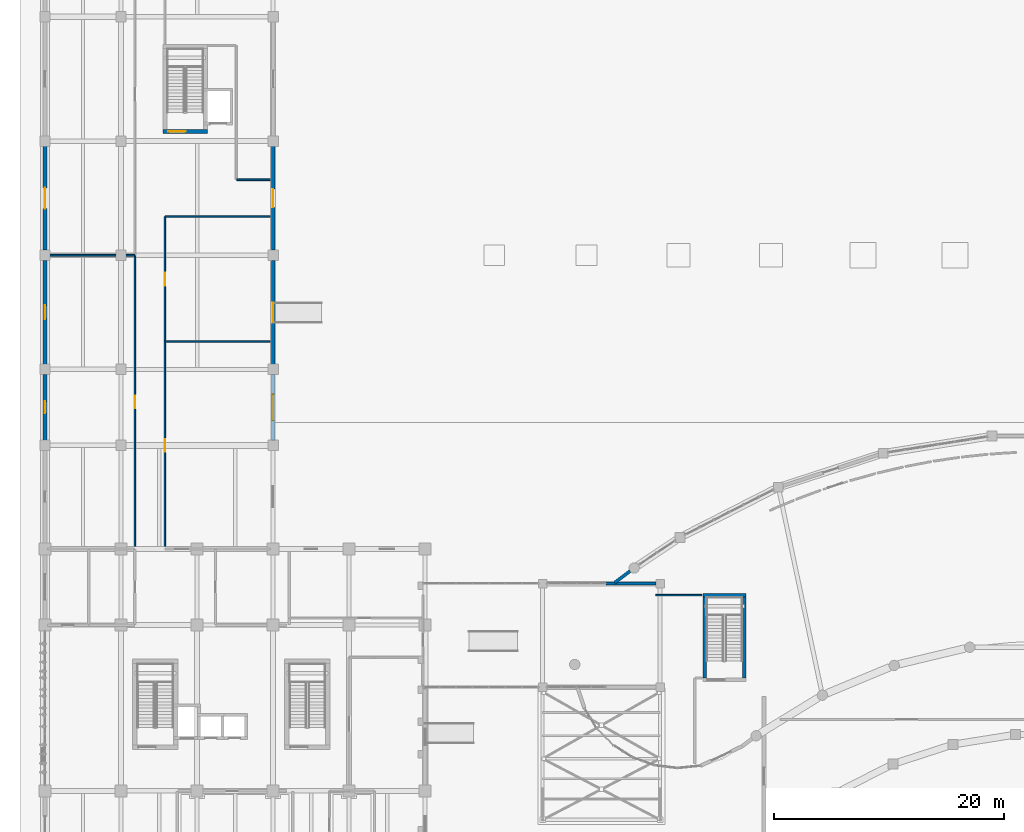
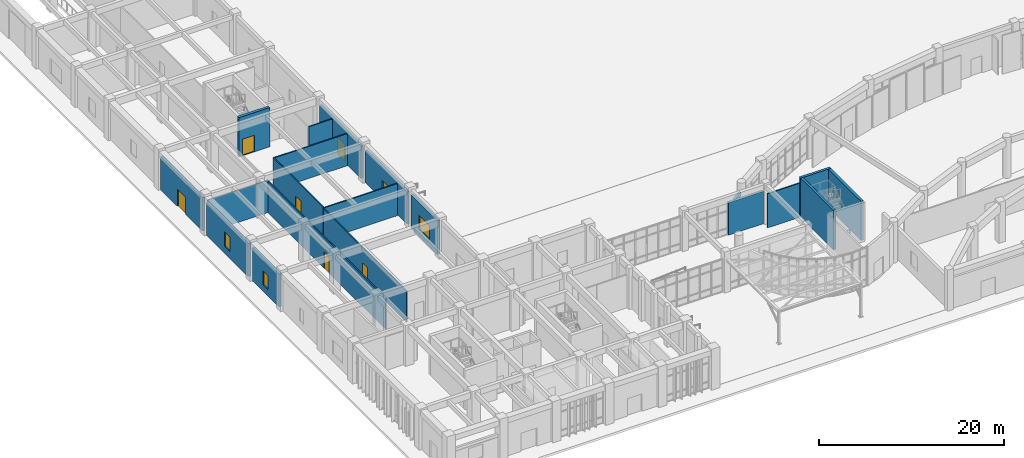
# One storey, part 50 of 70: 20 walls, 6 doors, 4 windows, 10 openings.
"""IFC4 building model written with IfcOpenShell, lengths in metres."""

import ifcopenshell
import ifcopenshell.guid

model = None  # the IFC model being written
_history = None  # IfcOwnerHistory: only IFC2X3 demands one
_inside = {}  # id of a spatial element -> (the spatial element, [elements in it])
_under = {}  # id of a project, library or spatial element -> (it, [spatial elements below it])
_declared = {}  # id of a project -> (the project, [libraries it declares])
_typed = {}  # id of a type object -> (the type object, [elements of that type])
_made_of = {}  # id of a material, layer set ... -> (it, [elements and type objects made of it])


def new_model(schema):
    """Start an empty IFC model of exactly this schema.

    Asked for "IFC4X3", IfcOpenShell would pick the latest addendum, in which some entities
    have other attributes; the version numbers below select the first issue.
    IFC2X3 requires an IfcOwnerHistory on every rooted entity: one is made here for all.
    """
    global model, _history
    if schema == "IFC4X3":
        model = ifcopenshell.file(schema_version=(4, 3, 0, 0))
    else:
        model = ifcopenshell.file(schema=schema)
    _inside.clear()
    _under.clear()
    _declared.clear()
    _typed.clear()
    _made_of.clear()
    _history = None
    if model.schema == "IFC2X3":
        org = make("IfcOrganization", Name="unknown")
        user = make(
            "IfcPersonAndOrganization",
            ThePerson=make("IfcPerson", FamilyName="unknown"),
            TheOrganization=org,
        )
        app = make(
            "IfcApplication",
            ApplicationDeveloper=org,
            Version="unknown",
            ApplicationFullName="unknown",
            ApplicationIdentifier="unknown",
        )
        _history = make(
            "IfcOwnerHistory",
            OwningUser=user,
            OwningApplication=app,
            ChangeAction="ADDED",
            CreationDate=0,
        )
    return model


def make(cls, **values):
    """One entity of the class cls with the attributes given. An attribute that is None is left unset."""
    return model.create_entity(
        cls, **{name: value for name, value in values.items() if value is not None}
    )


def rooted(cls, **values):
    """An entity with a GlobalId (a new one), such as an element, a storey or a relation."""
    return make(cls, GlobalId=ifcopenshell.guid.new(), OwnerHistory=_history, **values)


def si_unit(unit_type, name, prefix=None):
    """IfcSIUnit, for example si_unit("LENGTHUNIT", "METRE", prefix="MILLI")."""
    return make("IfcSIUnit", UnitType=unit_type, Prefix=prefix, Name=name)


def assignment(units):
    """IfcUnitAssignment: the units of a project."""
    return None if units is None else make("IfcUnitAssignment", Units=units)


def point(xyz):
    """IfcCartesianPoint."""
    return None if xyz is None else make("IfcCartesianPoint", Coordinates=xyz)


def direction(xyz):
    """IfcDirection."""
    return None if xyz is None else make("IfcDirection", DirectionRatios=xyz)


def frame(location, z_axis=None, x_axis=None):
    """IfcAxis2Placement3D, a coordinate frame: its origin and axes. An axis left out is left unset."""
    return make(
        "IfcAxis2Placement3D",
        Location=point(location),
        Axis=direction(z_axis),
        RefDirection=direction(x_axis),
    )


def frame_2d(location, x_axis=None):
    """IfcAxis2Placement2D, a coordinate frame in the plane: its origin and x axis."""
    return make(
        "IfcAxis2Placement2D", Location=point(location), RefDirection=direction(x_axis)
    )


def origin():
    """The frame at (0, 0, 0) with its axes left unset."""
    return frame((0.0, 0.0, 0.0))


def place(relative_to, where):
    """IfcLocalPlacement: puts the frame where relative to a parent placement (None: the world)."""
    return make(
        "IfcLocalPlacement", PlacementRelTo=relative_to, RelativePlacement=where
    )


def context(
    kind, dimensions, precision=None, world=None, true_north=None, identifier=None
):
    """IfcGeometricRepresentationContext, for example the 3D "Model" context."""
    return make(
        "IfcGeometricRepresentationContext",
        ContextIdentifier=identifier,
        ContextType=kind,
        CoordinateSpaceDimension=dimensions,
        Precision=precision,
        WorldCoordinateSystem=world,
        TrueNorth=true_north,
    )


def subcontext(parent, identifier, kind, view, scale=None):
    """IfcGeometricRepresentationSubContext, for example "Body" below "Model"."""
    return make(
        "IfcGeometricRepresentationSubContext",
        ContextIdentifier=identifier,
        ContextType=kind,
        ParentContext=parent,
        TargetScale=scale,
        TargetView=view,
    )


def project(units=None, contexts=None):
    """IfcProject with its units and contexts."""
    return rooted(
        "IfcProject",
        Name="project",
        RepresentationContexts=contexts,
        UnitsInContext=assignment(units),
    )


def spatial(cls, under=None, at=None, **own):
    """A site, building, storey or space (cls), placed at a placement, below another one or the project."""
    s = rooted(cls, ObjectPlacement=at, **own)
    if under is not None:
        _under.setdefault(under.id(), (under, []))[1].append(s)
    return s


def profile(cls, at=None, kind="AREA", **sizes):
    """A parametric profile (cls). Its sizes go by their IFC names, for example OverallWidth=200.0."""
    return make(cls, ProfileType=kind, Position=at, **sizes)


def rectangle(**sizes):
    """IfcRectangleProfileDef."""
    return profile("IfcRectangleProfileDef", **sizes)


def extrude(swept, where, along, depth):
    """IfcExtrudedAreaSolid: the profile swept, set in the frame where, extruded along a direction by depth."""
    return make(
        "IfcExtrudedAreaSolid",
        SweptArea=swept,
        Position=where,
        ExtrudedDirection=direction(along),
        Depth=depth,
    )


def shape(context_of_items, identifier, shape_type, items):
    """IfcShapeRepresentation: the items that make up one representation, for example the "Body"."""
    return make(
        "IfcShapeRepresentation",
        ContextOfItems=context_of_items,
        RepresentationIdentifier=identifier,
        RepresentationType=shape_type,
        Items=items,
    )


def material(Name=None, Category=None):
    """IfcMaterial."""
    return make("IfcMaterial", Name=Name, Category=Category)


def layer(
    of_material, thickness, ventilated=None, Name=None, Category=None, Priority=None
):
    """IfcMaterialLayer: one layer of a wall or slab, of a material (None: an air gap)."""
    return make(
        "IfcMaterialLayer",
        Material=of_material,
        LayerThickness=thickness,
        IsVentilated=ventilated,
        Name=Name,
        Category=Category,
        Priority=Priority,
    )


def layer_set(layers, Name=None):
    """IfcMaterialLayerSet."""
    return make("IfcMaterialLayerSet", MaterialLayers=layers, LayerSetName=Name)


def made_of(thing, what):
    """Note that an element or type object is made of a material, layer set ...; save() writes the relation."""
    if what is not None:
        _made_of.setdefault(what.id(), (what, []))[1].append(thing)
    return thing


def type_object(cls, material=None, **own):
    """A type object (cls), such as IfcWallType, which elements share."""
    return made_of(rooted(cls, **own), material)


def element(
    cls,
    number,
    at=None,
    inside=None,
    cuts=None,
    type_object=None,
    material=None,
    context=None,
    identifier="Body",
    shape_type=None,
    held_by="IfcProductDefinitionShape",
    body=None,
    shapes=None,
    **own,
):
    """One element of the class cls, such as IfcWall. Its Tag is "e" and its number.

    at: its placement. inside: the storey or other place that contains it. cuts: it is an
    opening in that element (IfcRelVoidsElement). A single representation is given by context,
    identifier, shape_type and body (its items); several are given by shapes. held_by: the class
    of the entity that holds the representations. save() writes the other relations.
    """
    e = rooted(cls, Tag="e%d" % number, ObjectPlacement=at, **own)
    if body is not None:
        shapes = [shape(context, identifier, shape_type, body)]
    if shapes is not None:
        e.Representation = make(held_by, Representations=shapes)
    if inside is not None:
        _inside.setdefault(inside.id(), (inside, []))[1].append(e)
    if cuts is not None:
        rooted(
            "IfcRelVoidsElement", RelatingBuildingElement=cuts, RelatedOpeningElement=e
        )
    if type_object is not None:
        _typed.setdefault(type_object.id(), (type_object, []))[1].append(e)
    return made_of(e, material)


def fill(opening, filler):
    """IfcRelFillsElement: the door or window that sits in an opening."""
    return rooted(
        "IfcRelFillsElement",
        RelatingOpeningElement=opening,
        RelatedBuildingElement=filler,
    )


def aggregate(whole, parts):
    """IfcRelAggregates: a whole, such as a stair, and the parts it consists of."""
    return rooted("IfcRelAggregates", RelatingObject=whole, RelatedObjects=parts)


def save(model, path):
    """Write the relations noted so far, then the file.

    IfcRelAggregates (storeys below a building ...), IfcRelContainedInSpatialStructure (elements
    in a storey), IfcRelDefinesByType, IfcRelAssociatesMaterial and IfcRelDeclares: one each for
    every whole, place, type object, material and project.
    """
    for whole, parts in _under.values():
        aggregate(whole, parts)
    for where, things in _inside.values():
        rooted(
            "IfcRelContainedInSpatialStructure",
            RelatedElements=things,
            RelatingStructure=where,
        )
    for kind, things in _typed.values():
        rooted("IfcRelDefinesByType", RelatedObjects=things, RelatingType=kind)
    for what, things in _made_of.values():
        rooted("IfcRelAssociatesMaterial", RelatedObjects=things, RelatingMaterial=what)
    for by, libraries in _declared.values():
        rooted("IfcRelDeclares", RelatingContext=by, RelatedDefinitions=libraries)
    model.write(path)


model = new_model("IFC4")

# Units and contexts
model_context = context("Model", 3, precision=1e-05, world=origin(), true_north=direction((0.0, 1.0)))
body_context = subcontext(model_context, "Body", "Model", "MODEL_VIEW")
ifc_project = project(units=[si_unit("LENGTHUNIT", "METRE"), si_unit("AREAUNIT", "SQUARE_METRE"), si_unit("VOLUMEUNIT", "CUBIC_METRE"), si_unit("PLANEANGLEUNIT", "RADIAN"), si_unit("MASSUNIT", "GRAM", prefix="KILO")], contexts=[model_context])

# Site, building, storey
site_placement = place(None, origin())
site = spatial("IfcSite", under=ifc_project, at=site_placement, CompositionType="ELEMENT")
building_placement = place(site_placement, origin())
building = spatial("IfcBuilding", under=site, at=building_placement, Name="Miralva Faculty of Natural Sciences", CompositionType="ELEMENT")
storey_placement = place(building_placement, origin())
storey = spatial("IfcBuildingStorey", under=building, at=storey_placement, Name="L00", CompositionType="ELEMENT", Elevation=0.0)

# Wall, opening, door
ifc_material_1 = material(Name="Concrete C50/60", Category="concrete")
ifc_layer_1 = layer(ifc_material_1, 0.35009765625, Name="WL-CW02")
ifc_layer_set_1 = layer_set([ifc_layer_1], Name="Concrete C50/60")
wall_type_1 = type_object("IfcWallType", Name="WL-CW02", PredefinedType="SHEAR", material=ifc_layer_set_1)
wall_1_placement = place(storey_placement, frame((13.25, 66.22509765625, 0.0), z_axis=(0.0, 0.0, 1.0), x_axis=(1.0, 0.0, 0.0)))
wall_1 = element("IfcWall", 1, at=wall_1_placement, inside=storey, type_object=wall_type_1, Name="Core C2 shear wall south L00", PredefinedType="SHEAR", context=body_context, shape_type="SweptSolid", body=[
    extrude(rectangle(XDim=3.85009765625, YDim=0.35009765625, at=frame_2d((1.925048828125, 0.0))), origin(), (0.0, 0.0, 1.0), 5.179931640625),
])
opening_1_placement = place(wall_1_placement, frame((0.449951171875, 0.0, 0.0)))
opening_1 = element("IfcOpeningElement", 2, at=opening_1_placement, cuts=wall_1, Name="Opening D-11", PredefinedType="OPENING", context=body_context, shape_type="SweptSolid", body=[
    extrude(rectangle(XDim=1.5, YDim=2.199951171875, at=frame_2d((0.75, 1.10009765625))), frame((0.0, 0.18505859375, 0.0), z_axis=(0.0, -1.0, 0.0), x_axis=(1.0, 0.0, 0.0)), (0.0, 0.0, 1.0), 0.3701171875),
])
ifc_material_2 = material(Name="Galvanised steel", Category="steel")
door_type_1 = type_object("IfcDoorType", Name="DR-DI11", OperationType="DOUBLE_DOOR_SINGLE_SWING", PredefinedType="DOOR", material=ifc_material_2)
door_1_placement = place(opening_1_placement, frame((1.5, 0.0, 0.0), z_axis=(0.0, 0.0, 1.0), x_axis=(-1.0, 0.0, 0.0)))
door_1 = element("IfcDoor", 3, at=door_1_placement, inside=storey, type_object=door_type_1, Name="Protected exit stair door Core C2 L00", OperationType="DOUBLE_DOOR_SINGLE_SWING", OverallHeight=2.199951171875, OverallWidth=1.5, PredefinedType="DOOR", context=body_context, shape_type="SweptSolid", body=[
    extrude(rectangle(XDim=1.5, YDim=2.199951171875, at=frame_2d((0.75, 1.10009765625))), frame((0.0, 0.02490234375, 0.0), z_axis=(0.0, -1.0, 0.0), x_axis=(1.0, 0.0, 0.0)), (0.0, 0.0, 1.0), 0.050048828125),
])
fill(opening_1, door_1)

# Walls
ifc_material_3 = material(Name="Concrete C40/50", Category="concrete")
ifc_layer_2 = layer(ifc_material_3, 0.300048828125, Name="WL-CW03")
ifc_layer_set_2 = layer_set([ifc_layer_2], Name="Concrete C40/50")
wall_type_2 = type_object("IfcWallType", Name="WL-CW03", PredefinedType="SHEAR", material=ifc_layer_set_2)
wall_2_placement = place(storey_placement, frame((60.10009765625, 26.0, 0.0), z_axis=(0.0, 0.0, 1.0), x_axis=(1.0, 0.0, 0.0)))
element("IfcWall", 4, at=wall_2_placement, inside=storey, type_object=wall_type_2, Name="Core C6 shear wall north L00", PredefinedType="SHEAR", context=body_context, shape_type="SweptSolid", body=[
    extrude(rectangle(XDim=3.75, YDim=0.300048828125, at=frame_2d((1.875, 0.0))), origin(), (0.0, 0.0, 1.0), 5.179931640625),
])
for number, where, z_axis, x_axis, name in (
    (5, (60.25, 18.800048828125, 0.0), (0.0, 0.0, 1.0), (0.0, 1.0, 0.0), "Core C6 shear wall west L00"),
    (6, (63.699951171875, 18.800048828125, 0.0), (0.0, 0.0, 1.0), (0.0, 1.0, 0.0), "Core C6 shear wall east L00"),
):
    element("IfcWall", number, at=place(storey_placement, frame(where, z_axis=z_axis, x_axis=x_axis)), inside=storey, type_object=wall_type_2, Name=name, PredefinedType="SHEAR", context=body_context, shape_type="SweptSolid", body=[
        extrude(rectangle(XDim=7.050048828125, YDim=0.300048828125, at=frame_2d((3.52490234375, 0.0))), origin(), (0.0, 0.0, 1.0), 5.179931640625),
    ])
ifc_material_4 = material(Name="Gypsum plasterboard")
ifc_layer_3 = layer(ifc_material_4, 0.139892578125, Name="WL-PT04")
ifc_layer_set_3 = layer_set([ifc_layer_3], Name="Gypsum plasterboard")
wall_type_3 = type_object("IfcWallType", Name="WL-PT04", PredefinedType="PARTITIONING", material=ifc_layer_set_3)
wall_3_placement = place(storey_placement, frame((3.22998046875, 55.5, 0.0), z_axis=(0.0, 0.0, 1.0), x_axis=(1.0, 0.0, 0.0)))
element("IfcWall", 7, at=wall_3_placement, inside=storey, type_object=wall_type_3, Name="Interior partition PT-04 L00-126", PredefinedType="PARTITIONING", context=body_context, shape_type="SweptSolid", body=[
    extrude(rectangle(XDim=7.5400390625, YDim=0.139892578125, at=frame_2d((3.77001953125, 0.0))), origin(), (0.0, 0.0, 1.0), 4.2548828125),
])

# Wall, opening, door
wall_4_placement = place(storey_placement, frame((10.800048828125, 30.030029296875, 0.0), z_axis=(0.0, 0.0, 1.0), x_axis=(0.0, 1.0, 0.0)))
wall_4 = element("IfcWall", 8, at=wall_4_placement, inside=storey, type_object=wall_type_3, Name="Interior partition PT-04 L00-127", PredefinedType="PARTITIONING", context=body_context, shape_type="SweptSolid", body=[
    extrude(rectangle(XDim=25.43994140625, YDim=0.139892578125, at=frame_2d((12.719970703125, 0.0))), origin(), (0.0, 0.0, 1.0), 4.114990234375),
])
opening_2_placement = place(wall_4_placement, frame((12.179931640625, 0.0, 0.0)))
opening_2 = element("IfcOpeningElement", 9, at=opening_2_placement, cuts=wall_4, Name="Opening D-32", PredefinedType="OPENING", context=body_context, shape_type="SweptSolid", body=[
    extrude(rectangle(XDim=1.080078125, YDim=2.14990234375, at=frame_2d((0.5400390625, 1.074951171875))), frame((0.0, 0.079833984375, 0.0), z_axis=(0.0, -1.0, 0.0), x_axis=(1.0, 0.0, 0.0)), (0.0, 0.0, 1.0), 0.159912109375),
])
ifc_material_5 = material(Name="Anodised aluminium", Category="aluminium")
door_type_2 = type_object("IfcDoorType", Name="DR-DI32", OperationType="NOTDEFINED", PredefinedType="DOOR", material=ifc_material_5)
door_2_placement = place(opening_2_placement, origin())
door_2 = element("IfcDoor", 10, at=door_2_placement, inside=storey, type_object=door_type_2, Name="Interior door D-32 L00-47", OperationType="SINGLE_SWING_RIGHT", OverallHeight=2.14990234375, OverallWidth=1.080078125, PredefinedType="DOOR", context=body_context, shape_type="SweptSolid", body=[
    extrude(rectangle(XDim=1.080078125, YDim=2.14990234375, at=frame_2d((0.5400390625, 1.074951171875))), frame((0.0, 0.02490234375, 0.0), z_axis=(0.0, -1.0, 0.0), x_axis=(1.0, 0.0, 0.0)), (0.0, 0.0, 1.0), 0.050048828125),
])
fill(opening_2, door_2)

# Wall
wall_5_placement = place(storey_placement, frame((13.429931640625, 48.0, 0.0), z_axis=(0.0, 0.0, 1.0), x_axis=(1.0, 0.0, 0.0)))
element("IfcWall", 11, at=wall_5_placement, inside=storey, type_object=wall_type_3, Name="Interior partition PT-04 L00-128", PredefinedType="PARTITIONING", context=body_context, shape_type="SweptSolid", body=[
    extrude(rectangle(XDim=9.14013671875, YDim=0.139892578125, at=frame_2d((4.570068359375, 0.0))), origin(), (0.0, 0.0, 1.0), 4.22509765625),
])

# Wall, opening, door
wall_6_placement = place(storey_placement, frame((13.39990234375, 30.030029296875, 0.0), z_axis=(0.0, 0.0, 1.0), x_axis=(0.0, 1.0, 0.0)))
wall_6 = element("IfcWall", 12, at=wall_6_placement, inside=storey, type_object=wall_type_3, Name="Interior partition PT-04 L00-129", PredefinedType="PARTITIONING", context=body_context, shape_type="SweptSolid", body=[
    extrude(rectangle(XDim=17.93994140625, YDim=0.139892578125, at=frame_2d((8.969970703125, 0.0))), origin(), (0.0, 0.0, 1.0), 4.114990234375),
])
opening_3_placement = place(wall_6_placement, frame((8.429931640625, 0.0, 0.0)))
opening_3 = element("IfcOpeningElement", 13, at=opening_3_placement, cuts=wall_6, Name="Opening D-32", PredefinedType="OPENING", context=body_context, shape_type="SweptSolid", body=[
    extrude(rectangle(XDim=1.080078125, YDim=2.14990234375, at=frame_2d((0.5400390625, 1.074951171875))), frame((0.0, 0.079833984375, 0.0), z_axis=(0.0, -1.0, 0.0), x_axis=(1.0, 0.0, 0.0)), (0.0, 0.0, 1.0), 0.159912109375),
])
door_3_placement = place(opening_3_placement, origin())
door_3 = element("IfcDoor", 14, at=door_3_placement, inside=storey, type_object=door_type_2, Name="Interior door D-32 L00-48", OperationType="SINGLE_SWING_LEFT", OverallHeight=2.14990234375, OverallWidth=1.080078125, PredefinedType="DOOR", context=body_context, shape_type="SweptSolid", body=[
    extrude(rectangle(XDim=1.080078125, YDim=2.14990234375, at=frame_2d((0.5400390625, 1.074951171875))), frame((0.0, 0.02490234375, 0.0), z_axis=(0.0, -1.0, 0.0), x_axis=(1.0, 0.0, 0.0)), (0.0, 0.0, 1.0), 0.050048828125),
])
fill(opening_3, door_3)

wall_7_placement = place(storey_placement, frame((13.39990234375, 48.030029296875, 0.0), z_axis=(0.0, 0.0, 1.0), x_axis=(0.0, 1.0, 0.0)))
wall_7 = element("IfcWall", 15, at=wall_7_placement, inside=storey, type_object=wall_type_3, Name="Interior partition PT-04 L00-130", PredefinedType="PARTITIONING", context=body_context, shape_type="SweptSolid", body=[
    extrude(rectangle(XDim=10.7900390625, YDim=0.139892578125, at=frame_2d((5.39501953125, 0.0))), origin(), (0.0, 0.0, 1.0), 4.27490234375),
])
opening_4_placement = place(wall_7_placement, frame((4.820068359375, 0.0, 0.0)))
opening_4 = element("IfcOpeningElement", 16, at=opening_4_placement, cuts=wall_7, Name="Opening D-24", PredefinedType="OPENING", context=body_context, shape_type="SweptSolid", body=[
    extrude(rectangle(XDim=1.14990234375, YDim=2.14990234375, at=frame_2d((0.574951171875, 1.074951171875))), frame((0.0, 0.079833984375, 0.0), z_axis=(0.0, -1.0, 0.0), x_axis=(1.0, 0.0, 0.0)), (0.0, 0.0, 1.0), 0.159912109375),
])
door_type_3 = type_object("IfcDoorType", Name="DR-DI24", OperationType="NOTDEFINED", PredefinedType="DOOR", material=ifc_material_5)
door_4_placement = place(opening_4_placement, origin())
door_4 = element("IfcDoor", 17, at=door_4_placement, inside=storey, type_object=door_type_3, Name="Interior door D-24 L00-49", OperationType="SINGLE_SWING_RIGHT", OverallHeight=2.14990234375, OverallWidth=1.14990234375, PredefinedType="DOOR", context=body_context, shape_type="SweptSolid", body=[
    extrude(rectangle(XDim=1.14990234375, YDim=2.14990234375, at=frame_2d((0.574951171875, 1.074951171875))), frame((0.0, 0.02490234375, 0.0), z_axis=(0.0, -1.0, 0.0), x_axis=(1.0, 0.0, 0.0)), (0.0, 0.0, 1.0), 0.050048828125),
])
fill(opening_4, door_4)

# Walls
wall_8_placement = place(storey_placement, frame((13.455078125, 58.85009765625, 0.0), z_axis=(0.0, 0.0, 1.0), x_axis=(1.0, 0.0, 0.0)))
element("IfcWall", 18, at=wall_8_placement, inside=storey, type_object=wall_type_3, Name="Interior partition PT-04 L00-131", PredefinedType="PARTITIONING", context=body_context, shape_type="SweptSolid", body=[
    extrude(rectangle(XDim=9.114990234375, YDim=0.139892578125, at=frame_2d((4.5576171875, 0.0))), origin(), (0.0, 0.0, 1.0), 4.22509765625),
])
wall_9_placement = place(storey_placement, frame((19.6298828125, 62.050048828125, 0.0), z_axis=(0.0, 0.0, 1.0), x_axis=(1.0, 0.0, 0.0)))
element("IfcWall", 19, at=wall_9_placement, inside=storey, type_object=wall_type_3, Name="Interior partition PT-04 L00-140", PredefinedType="PARTITIONING", context=body_context, shape_type="SweptSolid", body=[
    extrude(rectangle(XDim=2.940185546875, YDim=0.139892578125, at=frame_2d((1.47021484375, 0.0))), origin(), (0.0, 0.0, 1.0), 4.22509765625),
])
ifc_layer_4 = layer(ifc_material_4, 0.125, Name="WL-PT05")
ifc_layer_set_4 = layer_set([ifc_layer_4], Name="Gypsum plasterboard")
wall_type_4 = type_object("IfcWallType", Name="WL-PT05", PredefinedType="PARTITIONING", material=ifc_layer_set_4)
wall_10_placement = place(storey_placement, frame((56.030029296875, 26.0, 0.0), z_axis=(0.0, 0.0, 1.0), x_axis=(1.0, 0.0, 0.0)))
element("IfcWall", 20, at=wall_10_placement, inside=storey, type_object=wall_type_4, Name="Interior partition PT-05 L00-113", PredefinedType="PARTITIONING", context=body_context, shape_type="SweptSolid", body=[
    extrude(rectangle(XDim=3.989990234375, YDim=0.125, at=frame_2d((1.9951171875, 0.0))), origin(), (0.0, 0.0, 1.0), 4.5048828125),
])

# Wall, opening, window
ifc_material_6 = material(Name="Precast concrete C40/50", Category="concrete")
ifc_layer_5 = layer(ifc_material_6, 0.320068359375, Name="WL-WT02")
ifc_layer_set_5 = layer_set([ifc_layer_5], Name="Precast concrete C40/50")
wall_type_5 = type_object("IfcWallType", Name="WL-WT02", PredefinedType="SOLIDWALL", material=ifc_layer_set_5)
wall_11_placement = place(storey_placement, frame((3.0, 39.43505859375, 0.0), z_axis=(0.0, 0.0, 1.0), x_axis=(0.0, 1.0, 0.0)))
wall_11 = element("IfcWall", 21, at=wall_11_placement, inside=storey, type_object=wall_type_5, Name="Exterior wall L00-143", PredefinedType="SOLIDWALL", context=body_context, shape_type="SweptSolid", body=[
    extrude(rectangle(XDim=5.72998046875, YDim=0.320068359375, at=frame_2d((2.864990234375, 0.0))), origin(), (0.0, 0.0, 1.0), 4.375),
])
opening_5_placement = place(wall_11_placement, frame((2.340087890625, 0.0, 0.89990234375)))
opening_5 = element("IfcOpeningElement", 22, at=opening_5_placement, cuts=wall_11, Name="Opening W-02", PredefinedType="OPENING", context=body_context, shape_type="SweptSolid", body=[
    extrude(rectangle(XDim=1.050048828125, YDim=1.800048828125, at=frame_2d((0.52490234375, 0.89990234375))), frame((0.0, 0.169921875, 0.0), z_axis=(0.0, -1.0, 0.0), x_axis=(1.0, 0.0, 0.0)), (0.0, 0.0, 1.0), 0.340087890625),
])
ifc_material_7 = material(Name="Laminated solar-control glass", Category="glass")
window_type_1 = type_object("IfcWindowType", Name="WN-W02", PartitioningType="SINGLE_PANEL", PredefinedType="WINDOW", material=ifc_material_7)
window_1_placement = place(opening_5_placement, origin())
window_1 = element("IfcWindow", 23, at=window_1_placement, inside=storey, type_object=window_type_1, Name="Window W-02 L00-86", OverallHeight=1.800048828125, OverallWidth=1.050048828125, PartitioningType="SINGLE_PANEL", PredefinedType="WINDOW", context=body_context, shape_type="SweptSolid", body=[
    extrude(rectangle(XDim=1.050048828125, YDim=1.800048828125, at=frame_2d((0.52490234375, 0.89990234375))), frame((0.0, 0.030029296875, 0.0), z_axis=(0.0, -1.0, 0.0), x_axis=(1.0, 0.0, 0.0)), (0.0, 0.0, 1.0), 0.06005859375),
])
fill(opening_5, window_1)

wall_12_placement = place(storey_placement, frame((3.0, 46.034912109375, 0.0), z_axis=(0.0, 0.0, 1.0), x_axis=(0.0, 1.0, 0.0)))
wall_12 = element("IfcWall", 24, at=wall_12_placement, inside=storey, type_object=wall_type_5, Name="Exterior wall L00-144", PredefinedType="SOLIDWALL", context=body_context, shape_type="SweptSolid", body=[
    extrude(rectangle(XDim=9.030029296875, YDim=0.320068359375, at=frame_2d((4.51513671875, 0.0))), origin(), (0.0, 0.0, 1.0), 4.375),
])
opening_6_placement = place(wall_12_placement, frame((3.9150390625, 0.0, 0.89990234375)))
opening_6 = element("IfcOpeningElement", 25, at=opening_6_placement, cuts=wall_12, Name="Opening W-03", PredefinedType="OPENING", context=body_context, shape_type="SweptSolid", body=[
    extrude(rectangle(XDim=1.199951171875, YDim=1.949951171875, at=frame_2d((0.60009765625, 0.97509765625))), frame((0.0, 0.169921875, 0.0), z_axis=(0.0, -1.0, 0.0), x_axis=(1.0, 0.0, 0.0)), (0.0, 0.0, 1.0), 0.340087890625),
])
window_type_2 = type_object("IfcWindowType", Name="WN-W03", PartitioningType="DOUBLE_PANEL_HORIZONTAL", PredefinedType="WINDOW", material=ifc_material_7)
window_2_placement = place(opening_6_placement, origin())
window_2 = element("IfcWindow", 26, at=window_2_placement, inside=storey, type_object=window_type_2, Name="Window W-03 L00-87", OverallHeight=1.949951171875, OverallWidth=1.199951171875, PartitioningType="DOUBLE_PANEL_HORIZONTAL", PredefinedType="WINDOW", context=body_context, shape_type="SweptSolid", body=[
    extrude(rectangle(XDim=1.199951171875, YDim=1.949951171875, at=frame_2d((0.60009765625, 0.97509765625))), frame((0.0, 0.030029296875, 0.0), z_axis=(0.0, -1.0, 0.0), x_axis=(1.0, 0.0, 0.0)), (0.0, 0.0, 1.0), 0.06005859375),
])
fill(opening_6, window_2)

# Wall, opening, door
wall_13_placement = place(storey_placement, frame((3.0, 55.93505859375, 0.0), z_axis=(0.0, 0.0, 1.0), x_axis=(0.0, 1.0, 0.0)))
wall_13 = element("IfcWall", 27, at=wall_13_placement, inside=storey, type_object=wall_type_5, Name="Exterior wall L00-145", PredefinedType="SOLIDWALL", context=body_context, shape_type="SweptSolid", body=[
    extrude(rectangle(XDim=9.030029296875, YDim=0.320068359375, at=frame_2d((4.51513671875, 0.0))), origin(), (0.0, 0.0, 1.0), 4.375),
])
opening_7_placement = place(wall_13_placement, frame((3.614990234375, 0.0, 0.0)))
opening_7 = element("IfcOpeningElement", 28, at=opening_7_placement, cuts=wall_13, Name="Opening D-03", PredefinedType="OPENING", context=body_context, shape_type="SweptSolid", body=[
    extrude(rectangle(XDim=1.800048828125, YDim=2.300048828125, at=frame_2d((0.89990234375, 1.14990234375))), frame((0.0, 0.169921875, 0.0), z_axis=(0.0, -1.0, 0.0), x_axis=(1.0, 0.0, 0.0)), (0.0, 0.0, 1.0), 0.340087890625),
])
door_type_4 = type_object("IfcDoorType", Name="DR-DE03", OperationType="DOUBLE_DOOR_SINGLE_SWING", PredefinedType="DOOR", material=ifc_material_2)
door_5_placement = place(opening_7_placement, origin())
door_5 = element("IfcDoor", 29, at=door_5_placement, inside=storey, type_object=door_type_4, Name="Exterior pedestrian exit door D-03 L00-14", OperationType="DOUBLE_DOOR_SINGLE_SWING", OverallHeight=2.300048828125, OverallWidth=1.800048828125, PredefinedType="DOOR", context=body_context, shape_type="SweptSolid", body=[
    extrude(rectangle(XDim=1.800048828125, YDim=2.300048828125, at=frame_2d((0.89990234375, 1.14990234375))), frame((0.0, 0.02490234375, 0.0), z_axis=(0.0, -1.0, 0.0), x_axis=(1.0, 0.0, 0.0)), (0.0, 0.0, 1.0), 0.050048828125),
])
fill(opening_7, door_5)

# Wall, opening, window
wall_14_placement = place(storey_placement, frame((22.800048828125, 39.43505859375, 0.0), z_axis=(0.0, 0.0, 1.0), x_axis=(0.0, 1.0, 0.0)))
wall_14 = element("IfcWall", 30, at=wall_14_placement, inside=storey, type_object=wall_type_5, Name="Exterior wall L00-153", PredefinedType="SOLIDWALL", context=body_context, shape_type="SweptSolid", body=[
    extrude(rectangle(XDim=5.72998046875, YDim=0.320068359375, at=frame_2d((2.864990234375, 0.0))), origin(), (0.0, 0.0, 1.0), 4.425048828125),
])
opening_8_placement = place(wall_14_placement, frame((1.739990234375, 0.0, 0.89990234375)))
opening_8 = element("IfcOpeningElement", 31, at=opening_8_placement, cuts=wall_14, Name="Opening W-12", PredefinedType="OPENING", context=body_context, shape_type="SweptSolid", body=[
    extrude(rectangle(XDim=2.25, YDim=1.85009765625, at=frame_2d((1.125, 0.925048828125))), frame((0.0, 0.169921875, 0.0), z_axis=(0.0, -1.0, 0.0), x_axis=(1.0, 0.0, 0.0)), (0.0, 0.0, 1.0), 0.340087890625),
])
window_type_3 = type_object("IfcWindowType", Name="WN-W12", PartitioningType="DOUBLE_PANEL_VERTICAL", PredefinedType="WINDOW", material=ifc_material_7)
window_3_placement = place(opening_8_placement, frame((2.25, 0.0, 0.0), z_axis=(0.0, 0.0, 1.0), x_axis=(-1.0, 0.0, 0.0)))
window_3 = element("IfcWindow", 32, at=window_3_placement, inside=storey, type_object=window_type_3, Name="Window W-12 L00-93", OverallHeight=1.85009765625, OverallWidth=2.25, PartitioningType="DOUBLE_PANEL_VERTICAL", PredefinedType="WINDOW", context=body_context, shape_type="SweptSolid", body=[
    extrude(rectangle(XDim=2.25, YDim=1.85009765625, at=frame_2d((1.125, 0.925048828125))), frame((0.0, 0.030029296875, 0.0), z_axis=(0.0, -1.0, 0.0), x_axis=(1.0, 0.0, 0.0)), (0.0, 0.0, 1.0), 0.06005859375),
])
fill(opening_8, window_3)

wall_15_placement = place(storey_placement, frame((22.800048828125, 46.034912109375, 0.0), z_axis=(0.0, 0.0, 1.0), x_axis=(0.0, 1.0, 0.0)))
wall_15 = element("IfcWall", 33, at=wall_15_placement, inside=storey, type_object=wall_type_5, Name="Exterior wall L00-154", PredefinedType="SOLIDWALL", context=body_context, shape_type="SweptSolid", body=[
    extrude(rectangle(XDim=9.030029296875, YDim=0.320068359375, at=frame_2d((4.51513671875, 0.0))), origin(), (0.0, 0.0, 1.0), 4.22509765625),
])
opening_9_placement = place(wall_15_placement, frame((3.68994140625, 0.0, 0.89990234375)))
opening_9 = element("IfcOpeningElement", 34, at=opening_9_placement, cuts=wall_15, Name="Opening W-18", PredefinedType="OPENING", context=body_context, shape_type="SweptSolid", body=[
    extrude(rectangle(XDim=1.64990234375, YDim=1.64990234375, at=frame_2d((0.824951171875, 0.824951171875))), frame((0.0, 0.169921875, 0.0), z_axis=(0.0, -1.0, 0.0), x_axis=(1.0, 0.0, 0.0)), (0.0, 0.0, 1.0), 0.340087890625),
])
window_type_4 = type_object("IfcWindowType", Name="WN-W18", PartitioningType="SINGLE_PANEL", PredefinedType="WINDOW", material=ifc_material_7)
window_4_placement = place(opening_9_placement, frame((1.64990234375, 0.0, 0.0), z_axis=(0.0, 0.0, 1.0), x_axis=(-1.0, 0.0, 0.0)))
window_4 = element("IfcWindow", 35, at=window_4_placement, inside=storey, type_object=window_type_4, Name="Window W-18 L00-94", OverallHeight=1.64990234375, OverallWidth=1.64990234375, PartitioningType="SINGLE_PANEL", PredefinedType="WINDOW", context=body_context, shape_type="SweptSolid", body=[
    extrude(rectangle(XDim=1.64990234375, YDim=1.64990234375, at=frame_2d((0.824951171875, 0.824951171875))), frame((0.0, 0.030029296875, 0.0), z_axis=(0.0, -1.0, 0.0), x_axis=(1.0, 0.0, 0.0)), (0.0, 0.0, 1.0), 0.06005859375),
])
fill(opening_9, window_4)

# Wall, opening, door
wall_16_placement = place(storey_placement, frame((22.800048828125, 55.93505859375, 0.0), z_axis=(0.0, 0.0, 1.0), x_axis=(0.0, 1.0, 0.0)))
wall_16 = element("IfcWall", 36, at=wall_16_placement, inside=storey, type_object=wall_type_5, Name="Exterior wall L00-155", PredefinedType="SOLIDWALL", context=body_context, shape_type="SweptSolid", body=[
    extrude(rectangle(XDim=9.030029296875, YDim=0.320068359375, at=frame_2d((4.51513671875, 0.0))), origin(), (0.0, 0.0, 1.0), 4.22509765625),
])
opening_10_placement = place(wall_16_placement, frame((3.715087890625, 0.0, 0.0)))
opening_10 = element("IfcOpeningElement", 37, at=opening_10_placement, cuts=wall_16, Name="Opening D-04", PredefinedType="OPENING", context=body_context, shape_type="SweptSolid", body=[
    extrude(rectangle(XDim=1.60009765625, YDim=2.25, at=frame_2d((0.800048828125, 1.125))), frame((0.0, 0.169921875, 0.0), z_axis=(0.0, -1.0, 0.0), x_axis=(1.0, 0.0, 0.0)), (0.0, 0.0, 1.0), 0.340087890625),
])
door_type_5 = type_object("IfcDoorType", Name="DR-DE04", OperationType="DOUBLE_DOOR_SINGLE_SWING", PredefinedType="DOOR", material=ifc_material_2)
door_6_placement = place(opening_10_placement, frame((1.60009765625, 0.0, 0.0), z_axis=(0.0, 0.0, 1.0), x_axis=(-1.0, 0.0, 0.0)))
door_6 = element("IfcDoor", 38, at=door_6_placement, inside=storey, type_object=door_type_5, Name="Exterior pedestrian exit door D-04 L00-17", OperationType="DOUBLE_DOOR_SINGLE_SWING", OverallHeight=2.25, OverallWidth=1.60009765625, PredefinedType="DOOR", context=body_context, shape_type="SweptSolid", body=[
    extrude(rectangle(XDim=1.60009765625, YDim=2.25, at=frame_2d((0.800048828125, 1.125))), frame((0.0, 0.02490234375, 0.0), z_axis=(0.0, -1.0, 0.0), x_axis=(1.0, 0.0, 0.0)), (0.0, 0.0, 1.0), 0.050048828125),
])
fill(opening_10, door_6)

# Walls
ifc_layer_6 = layer(ifc_material_6, 0.2900390625, Name="WL-WT03")
ifc_layer_set_6 = layer_set([ifc_layer_6], Name="Precast concrete C40/50")
wall_type_6 = type_object("IfcWallType", Name="WL-WT03", PredefinedType="SOLIDWALL", material=ifc_layer_set_6)
wall_17_placement = place(storey_placement, frame((51.675048828125, 27.0, 0.0), z_axis=(0.0, 0.0, 1.0), x_axis=(1.0, 0.0, 0.0)))
element("IfcWall", 39, at=wall_17_placement, inside=storey, type_object=wall_type_6, Name="Exterior wall L00-353", PredefinedType="SOLIDWALL", context=body_context, shape_type="SweptSolid", body=[
    extrude(rectangle(XDim=4.35986328125, YDim=0.2900390625, at=frame_2d((2.179931640625, 0.0))), origin(), (0.0, 0.0, 1.0), 4.27490234375),
])
ifc_material_8 = material(Name="Volcanic tuff architectural stone", Category="masonry")
ifc_layer_7 = layer(ifc_material_8, 0.27001953125, Name="WL-WT04")
ifc_layer_set_7 = layer_set([ifc_layer_7], Name="Volcanic tuff architectural stone")
wall_type_7 = type_object("IfcWallType", Name="WL-WT04", PredefinedType="SOLIDWALL", material=ifc_layer_set_7)
wall_18_placement = place(storey_placement, frame((52.444580078125, 27.068603515625, 0.0), z_axis=(0.0, 0.0, 1.0), x_axis=(0.798641279354, 0.601807366947, 0.0)))
element("IfcWall", 40, at=wall_18_placement, inside=storey, type_object=wall_type_7, Name="Exterior wall L00-16", PredefinedType="SOLIDWALL", context=body_context, shape_type="SweptSolid", body=[
    extrude(rectangle(XDim=1.684326171875, YDim=0.27001953125, at=frame_2d((0.84228515625, 0.0))), origin(), (0.0, 0.0, 1.0), 4.27490234375),
])

save(model, "model.ifc")
